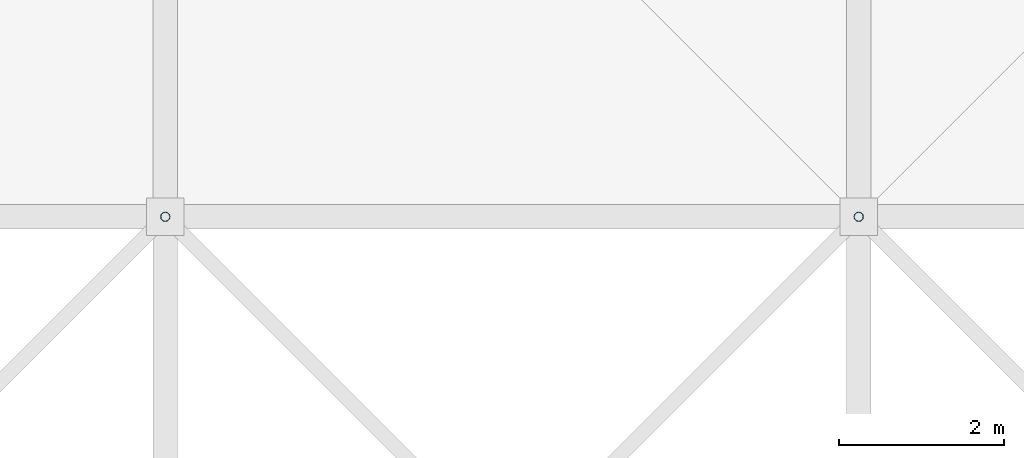
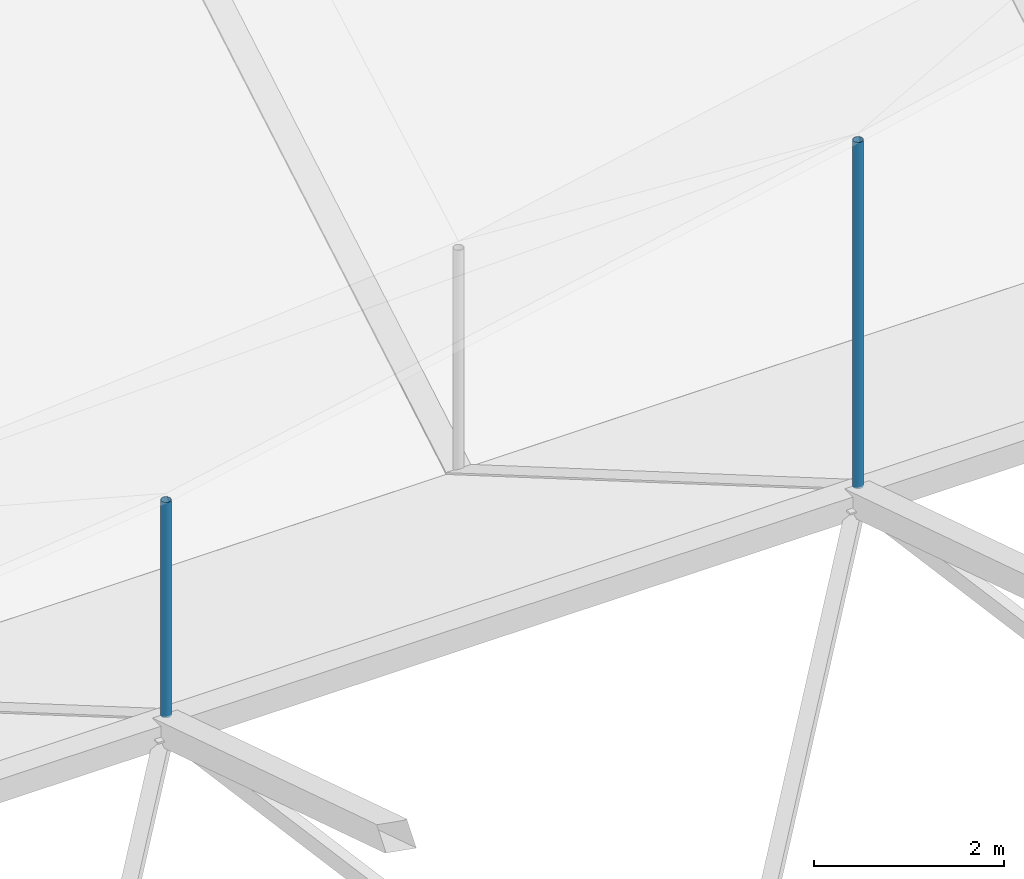
# One storey, part 71 of 111: 2 discrete accessories.
"""IFC4 building model written with IfcOpenShell, lengths in metres."""

from ifc_helpers import new_model, si_unit, direction, frame, origin, origin_2d, place, context, subcontext, project, spatial, hollow_circle, extrude, material, material_profile, profile_set, type_object, element, save


model = new_model("IFC4")

# Units and contexts
model_context = context("Model", 3, precision=1e-05, world=origin(), true_north=direction((0.0, 1.0)))
body_context = subcontext(model_context, "Body", "Model", "MODEL_VIEW")
ifc_project = project(units=[si_unit("LENGTHUNIT", "METRE"), si_unit("AREAUNIT", "SQUARE_METRE"), si_unit("VOLUMEUNIT", "CUBIC_METRE"), si_unit("PLANEANGLEUNIT", "RADIAN"), si_unit("MASSUNIT", "GRAM", prefix="KILO")], contexts=[model_context])

# Site, building, storey
site_placement = place(None, origin())
site = spatial("IfcSite", under=ifc_project, at=site_placement, CompositionType="ELEMENT")
building_placement = place(site_placement, origin())
building = spatial("IfcBuilding", under=site, at=building_placement, Name="Rain Tree Exposition and Congress Centre", CompositionType="ELEMENT")
storey_placement = place(building_placement, frame((0.0, 0.0, 19.5)))
storey = spatial("IfcBuildingStorey", under=building, at=storey_placement, Name="RF", CompositionType="ELEMENT", Elevation=19.5)

# Discrete accessories
ifc_material = material(Name="Steel S355J2H", Category="steel")
ifc_material_profile = material_profile(ifc_material, hollow_circle(Radius=0.05712890625, WallThickness=0.00439453125, at=origin_2d()), Name="CHS 114x4.5")
ifc_profile_set = profile_set([ifc_material_profile], Name="Steel S355J2H")
discrete_accessory_type = type_object("IfcDiscreteAccessoryType", Name="Roof skin post CHS 114x4.5", PredefinedType="BRACKET", material=ifc_profile_set)
discrete_accessory_1_placement = place(storey_placement, frame((159.60009765625, 142.800048828125, 5.39404296875), z_axis=(0.0, 0.0, 1.0), x_axis=(1.0, 0.0, 0.0)))
element("IfcDiscreteAccessory", 1, at=discrete_accessory_1_placement, inside=storey, type_object=discrete_accessory_type, Name="Roof skin post B68", PredefinedType="BRACKET", context=body_context, shape_type="SweptSolid", body=[
    extrude(hollow_circle(Radius=0.05712890625, WallThickness=0.00439453125, at=origin_2d()), origin(), (0.0, 0.0, 1.0), 2.765625),
])
discrete_accessory_2_placement = place(storey_placement, frame((168.0, 142.800048828125, 5.39404296875), z_axis=(0.0, 0.0, 1.0), x_axis=(1.0, 0.0, 0.0)))
element("IfcDiscreteAccessory", 2, at=discrete_accessory_2_placement, inside=storey, type_object=discrete_accessory_type, Name="Roof skin post B69", PredefinedType="BRACKET", context=body_context, shape_type="SweptSolid", body=[
    extrude(hollow_circle(Radius=0.05712890625, WallThickness=0.00439453125, at=origin_2d()), origin(), (0.0, 0.0, 1.0), 4.446044921875),
])

save(model, "model.ifc")
